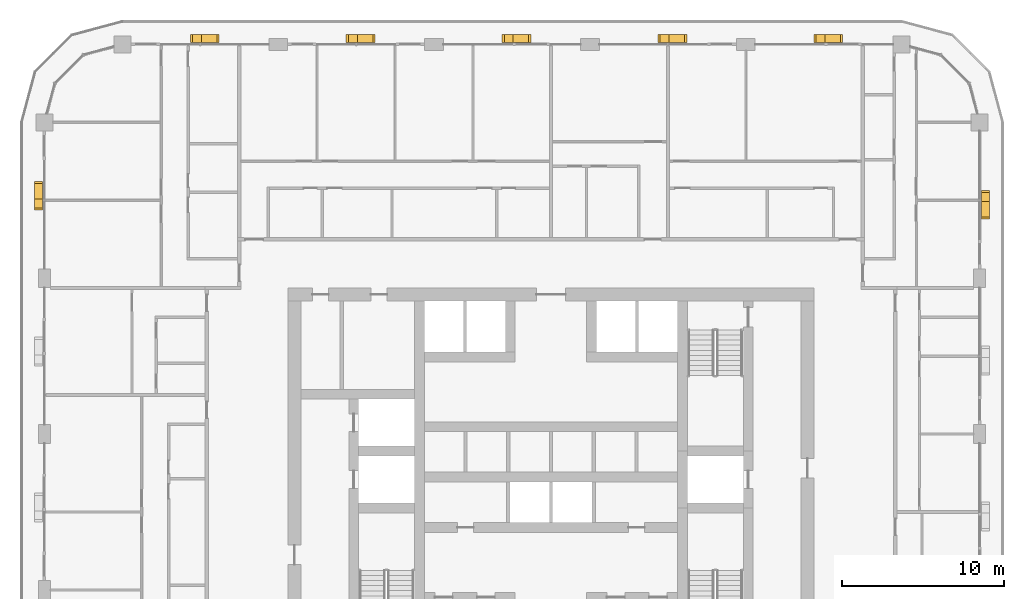
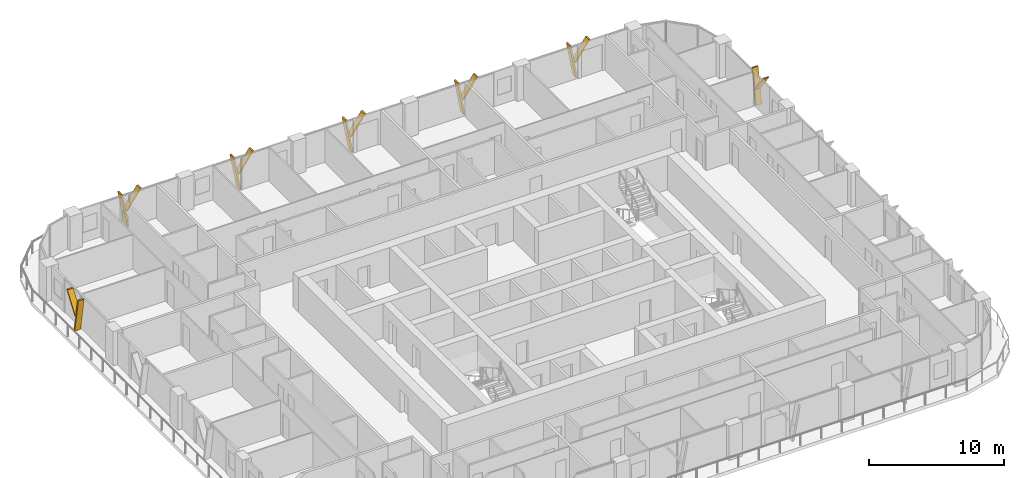
# One storey, part 22 of 22: 14 shading devices.
"""IFC4 building model written with IfcOpenShell, lengths in metres."""

from ifc_helpers import new_model, si_unit, direction, frame, origin, place, context, subcontext, project, spatial, polyline, outline, extrude, material, type_object, element, save


model = new_model("IFC4")

# Units and contexts
model_context = context("Model", 3, precision=1e-05, world=origin(), true_north=direction((0.0, 1.0)))
body_context = subcontext(model_context, "Body", "Model", "MODEL_VIEW")
ifc_project = project(units=[si_unit("LENGTHUNIT", "METRE"), si_unit("AREAUNIT", "SQUARE_METRE"), si_unit("VOLUMEUNIT", "CUBIC_METRE"), si_unit("PLANEANGLEUNIT", "RADIAN"), si_unit("MASSUNIT", "GRAM", prefix="KILO")], contexts=[model_context])

# Site, building, storey
site_placement = place(None, origin())
site = spatial("IfcSite", under=ifc_project, at=site_placement, CompositionType="ELEMENT")
building_placement = place(site_placement, origin())
building = spatial("IfcBuilding", under=site, at=building_placement, Name="Madar Terraces", CompositionType="ELEMENT")
storey_placement = place(building_placement, frame((0.0, 0.0, 140.10009765625)))
storey = spatial("IfcBuildingStorey", under=building, at=storey_placement, Name="L36", CompositionType="ELEMENT", Elevation=140.10009765625)

# Shading devices
ifc_material = material(Name="Aluminium, black anodised", Category="aluminium")
shading_device_type = type_object("IfcShadingDeviceType", Name="Facade fin blade 140 x 500", PredefinedType="USERDEFINED", material=ifc_material)
shading_device_1_placement = place(storey_placement, frame((57.949951171875, 43.1298828125, 0.0), z_axis=(0.0, 0.0, 1.0), x_axis=(0.0, 1.0, 0.0)))
element("IfcShadingDevice", 1, at=shading_device_1_placement, inside=storey, type_object=shading_device_type, Name="FIN L36 E4", ObjectType="FIN", PredefinedType="USERDEFINED", context=body_context, shape_type="SweptSolid", body=[
    extrude(outline(polyline([(0.0, 0.0), (0.14013671875, 0.0), (0.68310546875, 3.079833984375), (0.54296875, 3.079833984375), (0.0, 0.0)])), frame((0.0, 0.25, 0.0), z_axis=(0.0, -1.0, 0.0), x_axis=(1.0, 0.0, 0.0)), (0.0, 0.0, 1.0), 0.5),
])
shading_device_2_placement = place(storey_placement, frame((57.949951171875, 43.234375, 1.385986328125), z_axis=(0.0, 0.0, 1.0), x_axis=(0.0, 1.0, 0.0)))
element("IfcShadingDevice", 2, at=shading_device_2_placement, inside=storey, type_object=shading_device_type, Name="FIN L36 E4 branch", ObjectType="FIN", PredefinedType="USERDEFINED", context=body_context, shape_type="SweptSolid", body=[
    extrude(outline(polyline([(0.0, 0.0), (0.139892578125, 0.0), (-1.061279296875, 1.69384765625), (-1.201416015625, 1.69384765625), (0.0, 0.0)])), frame((0.0, 0.25, 0.0), z_axis=(0.0, -1.0, 0.0), x_axis=(1.0, 0.0, 0.0)), (0.0, 0.0, 1.0), 0.5),
])
shading_device_3_placement = place(storey_placement, frame((48.070068359375, 53.14990234375, 0.0), z_axis=(0.0, 0.0, 1.0), x_axis=(-1.0, 0.0, 0.0)))
element("IfcShadingDevice", 3, at=shading_device_3_placement, inside=storey, type_object=shading_device_type, Name="FIN L36 N1", ObjectType="FIN", PredefinedType="USERDEFINED", context=body_context, shape_type="SweptSolid", body=[
    extrude(outline(polyline([(0.0, 0.0), (0.14013671875, 0.0), (0.68310546875, 3.079833984375), (0.54296875, 3.079833984375), (0.0, 0.0)])), frame((0.0, 0.25, 0.0), z_axis=(0.0, -1.0, 0.0), x_axis=(1.0, 0.0, 0.0)), (0.0, 0.0, 1.0), 0.5),
])
shading_device_4_placement = place(storey_placement, frame((47.965576171875, 53.14990234375, 1.385986328125), z_axis=(0.0, 0.0, 1.0), x_axis=(-1.0, 0.0, 0.0)))
element("IfcShadingDevice", 4, at=shading_device_4_placement, inside=storey, type_object=shading_device_type, Name="FIN L36 N1 branch", ObjectType="FIN", PredefinedType="USERDEFINED", context=body_context, shape_type="SweptSolid", body=[
    extrude(outline(polyline([(0.0, 0.0), (0.139892578125, 0.0), (-1.061279296875, 1.69384765625), (-1.201416015625, 1.69384765625), (0.0, 0.0)])), frame((0.0, 0.25, 0.0), z_axis=(0.0, -1.0, 0.0), x_axis=(1.0, 0.0, 0.0)), (0.0, 0.0, 1.0), 0.5),
])
shading_device_5_placement = place(storey_placement, frame((38.469970703125, 53.14990234375, 0.0), z_axis=(0.0, 0.0, 1.0), x_axis=(-1.0, 0.0, 0.0)))
element("IfcShadingDevice", 5, at=shading_device_5_placement, inside=storey, type_object=shading_device_type, Name="FIN L36 N2", ObjectType="FIN", PredefinedType="USERDEFINED", context=body_context, shape_type="SweptSolid", body=[
    extrude(outline(polyline([(0.0, 0.0), (0.139892578125, 0.0), (0.68310546875, 3.079833984375), (0.54296875, 3.079833984375), (0.0, 0.0)])), frame((0.0, 0.25, 0.0), z_axis=(0.0, -1.0, 0.0), x_axis=(1.0, 0.0, 0.0)), (0.0, 0.0, 1.0), 0.5),
])
shading_device_6_placement = place(storey_placement, frame((38.36572265625, 53.14990234375, 1.385986328125), z_axis=(0.0, 0.0, 1.0), x_axis=(-1.0, 0.0, 0.0)))
element("IfcShadingDevice", 6, at=shading_device_6_placement, inside=storey, type_object=shading_device_type, Name="FIN L36 N2 branch", ObjectType="FIN", PredefinedType="USERDEFINED", context=body_context, shape_type="SweptSolid", body=[
    extrude(outline(polyline([(0.0, 0.0), (0.14013671875, 0.0), (-1.061279296875, 1.69384765625), (-1.201416015625, 1.69384765625), (0.0, 0.0)])), frame((0.0, 0.25, 0.0), z_axis=(0.0, -1.0, 0.0), x_axis=(1.0, 0.0, 0.0)), (0.0, 0.0, 1.0), 0.5),
])
shading_device_7_placement = place(storey_placement, frame((28.8701171875, 53.14990234375, 0.0), z_axis=(0.0, 0.0, 1.0), x_axis=(-1.0, 0.0, 0.0)))
element("IfcShadingDevice", 7, at=shading_device_7_placement, inside=storey, type_object=shading_device_type, Name="FIN L36 N3", ObjectType="FIN", PredefinedType="USERDEFINED", context=body_context, shape_type="SweptSolid", body=[
    extrude(outline(polyline([(0.0, 0.0), (0.14013671875, 0.0), (0.68310546875, 3.079833984375), (0.54296875, 3.079833984375), (0.0, 0.0)])), frame((0.0, 0.25, 0.0), z_axis=(0.0, -1.0, 0.0), x_axis=(1.0, 0.0, 0.0)), (0.0, 0.0, 1.0), 0.5),
])
shading_device_8_placement = place(storey_placement, frame((28.765625, 53.14990234375, 1.385986328125), z_axis=(0.0, 0.0, 1.0), x_axis=(-1.0, 0.0, 0.0)))
element("IfcShadingDevice", 8, at=shading_device_8_placement, inside=storey, type_object=shading_device_type, Name="FIN L36 N3 branch", ObjectType="FIN", PredefinedType="USERDEFINED", context=body_context, shape_type="SweptSolid", body=[
    extrude(outline(polyline([(0.0, 0.0), (0.139892578125, 0.0), (-1.061279296875, 1.69384765625), (-1.201416015625, 1.69384765625), (0.0, 0.0)])), frame((0.0, 0.25, 0.0), z_axis=(0.0, -1.0, 0.0), x_axis=(1.0, 0.0, 0.0)), (0.0, 0.0, 1.0), 0.5),
])
shading_device_9_placement = place(storey_placement, frame((19.27001953125, 53.14990234375, 0.0), z_axis=(0.0, 0.0, 1.0), x_axis=(-1.0, 0.0, 0.0)))
element("IfcShadingDevice", 9, at=shading_device_9_placement, inside=storey, type_object=shading_device_type, Name="FIN L36 N4", ObjectType="FIN", PredefinedType="USERDEFINED", context=body_context, shape_type="SweptSolid", body=[
    extrude(outline(polyline([(0.0, 0.0), (0.14013671875, 0.0), (0.68310546875, 3.079833984375), (0.54296875, 3.079833984375), (0.0, 0.0)])), frame((0.0, 0.25, 0.0), z_axis=(0.0, -1.0, 0.0), x_axis=(1.0, 0.0, 0.0)), (0.0, 0.0, 1.0), 0.5),
])
shading_device_10_placement = place(storey_placement, frame((19.16552734375, 53.14990234375, 1.385986328125), z_axis=(0.0, 0.0, 1.0), x_axis=(-1.0, 0.0, 0.0)))
element("IfcShadingDevice", 10, at=shading_device_10_placement, inside=storey, type_object=shading_device_type, Name="FIN L36 N4 branch", ObjectType="FIN", PredefinedType="USERDEFINED", context=body_context, shape_type="SweptSolid", body=[
    extrude(outline(polyline([(0.0, 0.0), (0.139892578125, 0.0), (-1.061279296875, 1.69384765625), (-1.201416015625, 1.69384765625), (0.0, 0.0)])), frame((0.0, 0.25, 0.0), z_axis=(0.0, -1.0, 0.0), x_axis=(1.0, 0.0, 0.0)), (0.0, 0.0, 1.0), 0.5),
])
shading_device_11_placement = place(storey_placement, frame((9.669921875, 53.14990234375, 0.0), z_axis=(0.0, 0.0, 1.0), x_axis=(-1.0, 0.0, 0.0)))
element("IfcShadingDevice", 11, at=shading_device_11_placement, inside=storey, type_object=shading_device_type, Name="FIN L36 N5", ObjectType="FIN", PredefinedType="USERDEFINED", context=body_context, shape_type="SweptSolid", body=[
    extrude(outline(polyline([(0.0, 0.0), (0.139892578125, 0.0), (0.68310546875, 3.079833984375), (0.54296875, 3.079833984375), (0.0, 0.0)])), frame((0.0, 0.25, 0.0), z_axis=(0.0, -1.0, 0.0), x_axis=(1.0, 0.0, 0.0)), (0.0, 0.0, 1.0), 0.5),
])
shading_device_12_placement = place(storey_placement, frame((9.565673828125, 53.14990234375, 1.385986328125), z_axis=(0.0, 0.0, 1.0), x_axis=(-1.0, 0.0, 0.0)))
element("IfcShadingDevice", 12, at=shading_device_12_placement, inside=storey, type_object=shading_device_type, Name="FIN L36 N5 branch", ObjectType="FIN", PredefinedType="USERDEFINED", context=body_context, shape_type="SweptSolid", body=[
    extrude(outline(polyline([(0.0, 0.0), (0.14013671875, 0.0), (-1.061279296875, 1.69384765625), (-1.201416015625, 1.69384765625), (0.0, 0.0)])), frame((0.0, 0.25, 0.0), z_axis=(0.0, -1.0, 0.0), x_axis=(1.0, 0.0, 0.0)), (0.0, 0.0, 1.0), 0.5),
])
shading_device_13_placement = place(storey_placement, frame((-0.35009765625, 43.27001953125, 0.0), z_axis=(0.0, 0.0, 1.0), x_axis=(0.0, -1.0, 0.0)))
element("IfcShadingDevice", 13, at=shading_device_13_placement, inside=storey, type_object=shading_device_type, Name="FIN L36 W1", ObjectType="FIN", PredefinedType="USERDEFINED", context=body_context, shape_type="SweptSolid", body=[
    extrude(outline(polyline([(0.0, 0.0), (0.14013671875, 0.0), (0.68310546875, 3.079833984375), (0.54296875, 3.079833984375), (0.0, 0.0)])), frame((0.0, 0.25, 0.0), z_axis=(0.0, -1.0, 0.0), x_axis=(1.0, 0.0, 0.0)), (0.0, 0.0, 1.0), 0.5),
])
shading_device_14_placement = place(storey_placement, frame((-0.35009765625, 43.16552734375, 1.385986328125), z_axis=(0.0, 0.0, 1.0), x_axis=(0.0, -1.0, 0.0)))
element("IfcShadingDevice", 14, at=shading_device_14_placement, inside=storey, type_object=shading_device_type, Name="FIN L36 W1 branch", ObjectType="FIN", PredefinedType="USERDEFINED", context=body_context, shape_type="SweptSolid", body=[
    extrude(outline(polyline([(0.0, 0.0), (0.139892578125, 0.0), (-1.061279296875, 1.69384765625), (-1.201416015625, 1.69384765625), (0.0, 0.0)])), frame((0.0, 0.25, 0.0), z_axis=(0.0, -1.0, 0.0), x_axis=(1.0, 0.0, 0.0)), (0.0, 0.0, 1.0), 0.5),
])

save(model, "model.ifc")
